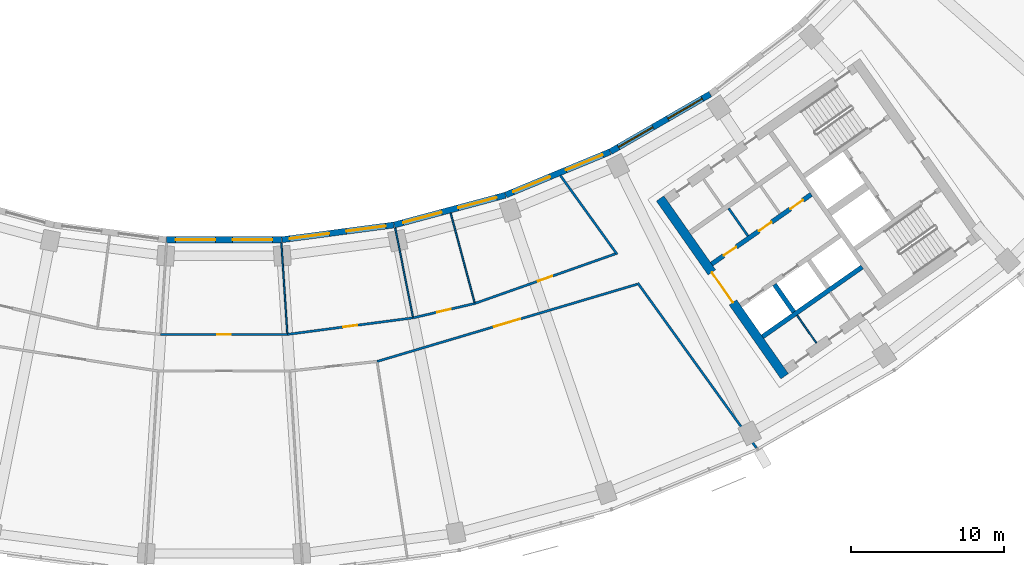
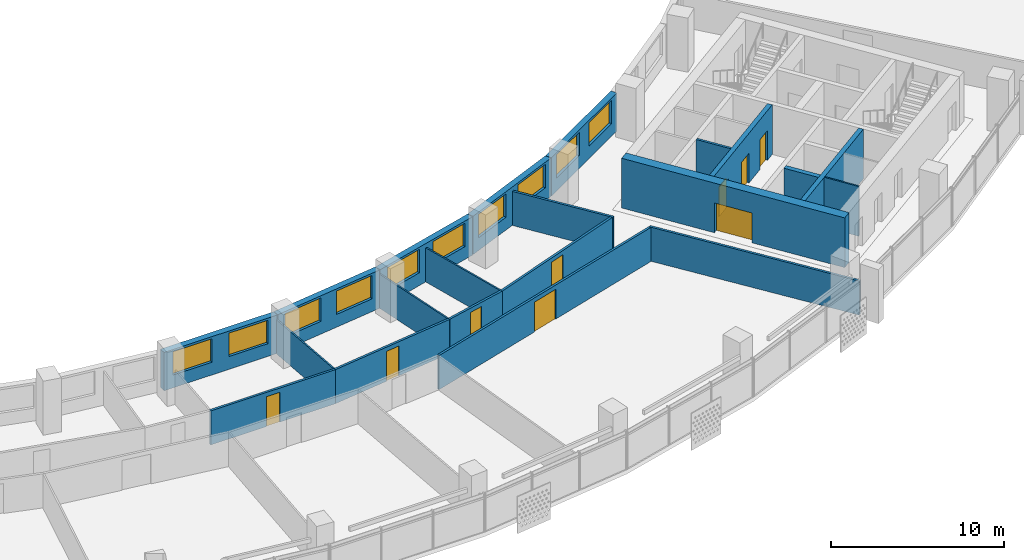
# One storey, part 6 of 26: 21 walls, 10 windows, 9 doors, 19 openings.
"""IFC4 building model written with IfcOpenShell, lengths in metres."""

from ifc_helpers import new_model, si_unit, direction, frame, frame_2d, origin, place, context, subcontext, project, spatial, rectangle, extrude, material, layer, layer_set, type_object, element, fill, save


model = new_model("IFC4")

# Units and contexts
model_context = context("Model", 3, precision=1e-05, world=origin(), true_north=direction((0.0, 1.0)))
body_context = subcontext(model_context, "Body", "Model", "MODEL_VIEW")
ifc_project = project(units=[si_unit("LENGTHUNIT", "METRE"), si_unit("AREAUNIT", "SQUARE_METRE"), si_unit("VOLUMEUNIT", "CUBIC_METRE"), si_unit("PLANEANGLEUNIT", "RADIAN"), si_unit("MASSUNIT", "GRAM", prefix="KILO")], contexts=[model_context])

# Site, building, storey
site_placement = place(None, origin())
site = spatial("IfcSite", under=ifc_project, at=site_placement, CompositionType="ELEMENT")
building_placement = place(site_placement, origin())
building = spatial("IfcBuilding", under=site, at=building_placement, Name="Qamariyya Broadcast Tower", CompositionType="ELEMENT")
storey_placement = place(building_placement, frame((0.0, 0.0, 160.699951171875)))
storey = spatial("IfcBuildingStorey", under=building, at=storey_placement, Name="L37", CompositionType="ELEMENT", Elevation=160.699951171875)

# Wall, opening, door
ifc_material_1 = material(Name="Concrete C60/75", Category="concrete")
ifc_layer_1 = layer(ifc_material_1, 0.60009765625)
ifc_layer_set_1 = layer_set([ifc_layer_1], Name="Core wall 600 mm Concrete C60/75")
wall_type_1 = type_object("IfcWallType", Name="Core wall 600 mm Concrete C60/75", PredefinedType="SHEAR", material=ifc_layer_set_1)
wall_1_placement = place(storey_placement, frame((36.66748046875, -66.005126953125, 0.0), z_axis=(0.0, 0.0, 1.0), x_axis=(-0.573568499524, 0.819157601658, 0.0)))
wall_1 = element("IfcWall", 1, at=wall_1_placement, inside=storey, type_object=wall_type_1, Name="k-E-L37-WA", PredefinedType="SHEAR", context=body_context, shape_type="SweptSolid", body=[
    extrude(rectangle(XDim=14.19970703125, YDim=0.60009765625, at=frame_2d((7.099853515625, 0.0))), origin(), (0.0, 0.0, 1.0), 3.5),
])
opening_1_placement = place(wall_1_placement, frame((5.89990234375, 0.0, 0.0)))
opening_1 = element("IfcOpeningElement", 2, at=opening_1_placement, cuts=wall_1, Name="Opening KD3-E1", PredefinedType="OPENING", context=body_context, shape_type="SweptSolid", body=[
    extrude(rectangle(XDim=2.39990234375, YDim=2.10009765625, at=frame_2d((1.199951171875, 1.050048828125))), frame((0.0, 0.31005859375, 0.0), z_axis=(0.0, -1.0, 0.0), x_axis=(1.0, 0.0, 0.0)), (0.0, 0.0, 1.0), 0.6201171875),
])
ifc_material_2 = material(Name="Steel fire-resisting door leaf", Category="steel")
door_type_1 = type_object("IfcDoorType", Name="Lift lobby door KD3", OperationType="DOUBLE_DOOR_SINGLE_SWING", PredefinedType="DOOR", material=ifc_material_2)
door_1_placement = place(opening_1_placement, origin())
door_1 = element("IfcDoor", 3, at=door_1_placement, inside=storey, type_object=door_type_1, Name="k-E-L37-WA-D1", OperationType="DOUBLE_DOOR_SINGLE_SWING", OverallHeight=2.10009765625, OverallWidth=2.39990234375, PredefinedType="DOOR", context=body_context, shape_type="SweptSolid", body=[
    extrude(rectangle(XDim=2.39990234375, YDim=2.10009765625, at=frame_2d((1.199951171875, 1.050048828125))), frame((0.0, 0.02490234375, 0.0), z_axis=(0.0, -1.0, 0.0), x_axis=(1.0, 0.0, 0.0)), (0.0, 0.0, 1.0), 0.050048828125),
])
fill(opening_1, door_1)

ifc_material_3 = material(Name="Gypsum board partition")
ifc_layer_2 = layer(ifc_material_3, 0.14990234375)
ifc_layer_set_2 = layer_set([ifc_layer_2], Name="Corridor partition 150 EI 60")
wall_type_2 = type_object("IfcWallType", Name="Corridor partition 150 EI 60", PredefinedType="PARTITIONING", material=ifc_layer_set_2)
wall_2_placement = place(storey_placement, frame((-4.146484375, -63.26416015625, 0.0), z_axis=(0.0, 0.0, 1.0), x_axis=(1.0, 0.0, 0.0)))
wall_2 = element("IfcWall", 4, at=wall_2_placement, inside=storey, type_object=wall_type_2, Name="Partition L37-018", PredefinedType="PARTITIONING", context=body_context, shape_type="SweptSolid", body=[
    extrude(rectangle(XDim=8.29296875, YDim=0.14990234375, at=frame_2d((4.146484375, 0.0))), origin(), (0.0, 0.0, 1.0), 2.400146484375),
])
opening_2_placement = place(wall_2_placement, frame((3.696533203125, 0.0, 0.0)))
opening_2 = element("IfcOpeningElement", 5, at=opening_2_placement, cuts=wall_2, Name="Opening L37-D11", PredefinedType="OPENING", context=body_context, shape_type="SweptSolid", body=[
    extrude(rectangle(XDim=0.89990234375, YDim=2.10009765625, at=frame_2d((0.449951171875, 1.050048828125))), frame((0.0, 0.0849609375, 0.0), z_axis=(0.0, -1.0, 0.0), x_axis=(1.0, 0.0, 0.0)), (0.0, 0.0, 1.0), 0.169921875),
])
ifc_material_4 = material(Name="Timber fire door leaf", Category="wood")
door_type_2 = type_object("IfcDoorType", Name="Fire door 900 x 2100 FD60", OperationType="NOTDEFINED", PredefinedType="DOOR", material=ifc_material_4)
door_2_placement = place(opening_2_placement, origin())
door_2 = element("IfcDoor", 6, at=door_2_placement, inside=storey, type_object=door_type_2, Name="Door L37-D11", OperationType="SINGLE_SWING_RIGHT", OverallHeight=2.10009765625, OverallWidth=0.89990234375, PredefinedType="DOOR", context=body_context, shape_type="SweptSolid", body=[
    extrude(rectangle(XDim=0.89990234375, YDim=2.10009765625, at=frame_2d((0.449951171875, 1.050048828125))), frame((0.0, 0.02490234375, 0.0), z_axis=(0.0, -1.0, 0.0), x_axis=(1.0, 0.0, 0.0)), (0.0, 0.0, 1.0), 0.050048828125),
])
fill(opening_2, door_2)

wall_3_placement = place(storey_placement, frame((4.146484375, -63.26416015625, 0.0), z_axis=(0.0, 0.0, 1.0), x_axis=(0.991447881484, 0.130503250152, 0.0)))
wall_3 = element("IfcWall", 7, at=wall_3_placement, inside=storey, type_object=wall_type_2, Name="Partition L37-021", PredefinedType="PARTITIONING", context=body_context, shape_type="SweptSolid", body=[
    extrude(rectangle(XDim=8.293212890625, YDim=0.14990234375, at=frame_2d((4.146484375, 0.0))), origin(), (0.0, 0.0, 1.0), 2.400146484375),
])
opening_3_placement = place(wall_3_placement, frame((3.696533203125, 0.0, 0.0)))
opening_3 = element("IfcOpeningElement", 8, at=opening_3_placement, cuts=wall_3, Name="Opening L37-D12", PredefinedType="OPENING", context=body_context, shape_type="SweptSolid", body=[
    extrude(rectangle(XDim=0.89990234375, YDim=2.10009765625, at=frame_2d((0.449951171875, 1.050048828125))), frame((0.0, 0.0849609375, 0.0), z_axis=(0.0, -1.0, 0.0), x_axis=(1.0, 0.0, 0.0)), (0.0, 0.0, 1.0), 0.169921875),
])
door_3_placement = place(opening_3_placement, origin())
door_3 = element("IfcDoor", 9, at=door_3_placement, inside=storey, type_object=door_type_2, Name="Door L37-D12", OperationType="SINGLE_SWING_RIGHT", OverallHeight=2.10009765625, OverallWidth=0.89990234375, PredefinedType="DOOR", context=body_context, shape_type="SweptSolid", body=[
    extrude(rectangle(XDim=0.89990234375, YDim=2.10009765625, at=frame_2d((0.449951171875, 1.050048828125))), frame((0.0, 0.02490234375, 0.0), z_axis=(0.0, -1.0, 0.0), x_axis=(1.0, 0.0, 0.0)), (0.0, 0.0, 1.0), 0.050048828125),
])
fill(opening_3, door_3)

wall_4_placement = place(storey_placement, frame((27.02880859375, -59.981201171875, 0.0), z_axis=(0.0, 0.0, 1.0), x_axis=(-0.958635901926, -0.284635218373, 0.0)))
wall_4 = element("IfcWall", 10, at=wall_4_placement, inside=storey, type_object=wall_type_2, Name="Partition L37-024", PredefinedType="PARTITIONING", context=body_context, shape_type="SweptSolid", body=[
    extrude(rectangle(XDim=17.751708984375, YDim=0.14990234375, at=frame_2d((8.8759765625, 0.0))), origin(), (0.0, 0.0, 1.0), 2.400146484375),
])
opening_4_placement = place(wall_4_placement, frame((7.975830078125, 0.0, 0.0)))
opening_4 = element("IfcOpeningElement", 11, at=opening_4_placement, cuts=wall_4, Name="Opening L37-D07", PredefinedType="OPENING", context=body_context, shape_type="SweptSolid", body=[
    extrude(rectangle(XDim=1.800048828125, YDim=2.10009765625, at=frame_2d((0.89990234375, 1.050048828125))), frame((0.0, 0.0849609375, 0.0), z_axis=(0.0, -1.0, 0.0), x_axis=(1.0, 0.0, 0.0)), (0.0, 0.0, 1.0), 0.169921875),
])
door_type_3 = type_object("IfcDoorType", Name="Double fire door 1800 x 2100 FD60", OperationType="NOTDEFINED", PredefinedType="DOOR", material=ifc_material_4)
door_4_placement = place(opening_4_placement, origin())
door_4 = element("IfcDoor", 12, at=door_4_placement, inside=storey, type_object=door_type_3, Name="Door L37-D07", OperationType="DOUBLE_DOOR_SINGLE_SWING", OverallHeight=2.10009765625, OverallWidth=1.800048828125, PredefinedType="DOOR", context=body_context, shape_type="SweptSolid", body=[
    extrude(rectangle(XDim=1.800048828125, YDim=2.10009765625, at=frame_2d((0.89990234375, 1.050048828125))), frame((0.0, 0.02490234375, 0.0), z_axis=(0.0, -1.0, 0.0), x_axis=(1.0, 0.0, 0.0)), (0.0, 0.0, 1.0), 0.050048828125),
])
fill(opening_4, door_4)

wall_5_placement = place(storey_placement, frame((12.36865234375, -62.181884765625, 0.0), z_axis=(0.0, 0.0, 1.0), x_axis=(0.973875922187, 0.227080796599, 0.0)))
wall_5 = element("IfcWall", 13, at=wall_5_placement, inside=storey, type_object=wall_type_2, Name="Partition L37-027", PredefinedType="PARTITIONING", context=body_context, shape_type="SweptSolid", body=[
    extrude(rectangle(XDim=4.14892578125, YDim=0.14990234375, at=frame_2d((2.074462890625, 0.0))), origin(), (0.0, 0.0, 1.0), 2.400146484375),
])
opening_5_placement = place(wall_5_placement, frame((1.62451171875, 0.0, 0.0)))
opening_5 = element("IfcOpeningElement", 14, at=opening_5_placement, cuts=wall_5, Name="Opening L37-D13", PredefinedType="OPENING", context=body_context, shape_type="SweptSolid", body=[
    extrude(rectangle(XDim=0.89990234375, YDim=2.10009765625, at=frame_2d((0.449951171875, 1.050048828125))), frame((0.0, 0.0849609375, 0.0), z_axis=(0.0, -1.0, 0.0), x_axis=(1.0, 0.0, 0.0)), (0.0, 0.0, 1.0), 0.169921875),
])
door_5_placement = place(opening_5_placement, origin())
door_5 = element("IfcDoor", 15, at=door_5_placement, inside=storey, type_object=door_type_2, Name="Door L37-D13", OperationType="SINGLE_SWING_RIGHT", OverallHeight=2.10009765625, OverallWidth=0.89990234375, PredefinedType="DOOR", context=body_context, shape_type="SweptSolid", body=[
    extrude(rectangle(XDim=0.89990234375, YDim=2.10009765625, at=frame_2d((0.449951171875, 1.050048828125))), frame((0.0, 0.02490234375, 0.0), z_axis=(0.0, -1.0, 0.0), x_axis=(1.0, 0.0, 0.0)), (0.0, 0.0, 1.0), 0.050048828125),
])
fill(opening_5, door_5)

wall_6_placement = place(storey_placement, frame((16.4091796875, -61.23974609375, 0.0), z_axis=(0.0, 0.0, 1.0), x_axis=(0.942977382292, 0.332856810785, 0.0)))
wall_6 = element("IfcWall", 16, at=wall_6_placement, inside=storey, type_object=wall_type_2, Name="Partition L37-029", PredefinedType="PARTITIONING", context=body_context, shape_type="SweptSolid", body=[
    extrude(rectangle(XDim=9.744873046875, YDim=0.14990234375, at=frame_2d((4.87255859375, 0.0))), origin(), (0.0, 0.0, 1.0), 2.400146484375),
])
opening_6_placement = place(wall_6_placement, frame((4.37255859375, 0.0, 0.0)))
opening_6 = element("IfcOpeningElement", 17, at=opening_6_placement, cuts=wall_6, Name="Opening L37-D14", PredefinedType="OPENING", context=body_context, shape_type="SweptSolid", body=[
    extrude(rectangle(XDim=1.0, YDim=2.10009765625, at=frame_2d((0.5, 1.050048828125))), frame((0.0, 0.0849609375, 0.0), z_axis=(0.0, -1.0, 0.0), x_axis=(1.0, 0.0, 0.0)), (0.0, 0.0, 1.0), 0.169921875),
])
door_type_4 = type_object("IfcDoorType", Name="Fire door 1000 x 2100 FD60", OperationType="NOTDEFINED", PredefinedType="DOOR", material=ifc_material_4)
door_6_placement = place(opening_6_placement, origin())
door_6 = element("IfcDoor", 18, at=door_6_placement, inside=storey, type_object=door_type_4, Name="Door L37-D14", OperationType="SINGLE_SWING_RIGHT", OverallHeight=2.10009765625, OverallWidth=1.0, PredefinedType="DOOR", context=body_context, shape_type="SweptSolid", body=[
    extrude(rectangle(XDim=1.0, YDim=2.10009765625, at=frame_2d((0.5, 1.050048828125))), frame((0.0, 0.02490234375, 0.0), z_axis=(0.0, -1.0, 0.0), x_axis=(1.0, 0.0, 0.0)), (0.0, 0.0, 1.0), 0.050048828125),
])
fill(opening_6, door_6)

# Walls
wall_7_placement = place(storey_placement, frame((22.0, -52.873046875, 0.0), z_axis=(0.0, 0.0, 1.0), x_axis=(0.58417014289, -0.811631224236, 0.0)))
element("IfcWall", 19, at=wall_7_placement, inside=storey, type_object=wall_type_2, Name="Partition L37-030", PredefinedType="PARTITIONING", context=body_context, shape_type="SweptSolid", body=[
    extrude(rectangle(XDim=6.356201171875, YDim=0.14990234375, at=frame_2d((3.17822265625, 0.0))), origin(), (0.0, 0.0, 1.0), 2.400146484375),
])
wall_8_placement = place(storey_placement, frame((27.056884765625, -59.899169921875, 0.0), z_axis=(0.0, 0.0, 1.0), x_axis=(0.584166374063, -0.81163393683, 0.0)))
element("IfcWall", 20, at=wall_8_placement, inside=storey, type_object=wall_type_2, Name="Partition L37-031", PredefinedType="PARTITIONING", context=body_context, shape_type="SweptSolid", body=[
    extrude(rectangle(XDim=13.296142578125, YDim=0.14990234375, at=frame_2d((6.64794921875, 0.0))), origin(), (0.0, 0.0, 1.0), 2.400146484375),
])
ifc_material_5 = material(Name="Gypsum board partition on steel studs", Category="steel")
ifc_layer_3 = layer(ifc_material_5, 0.14990234375)
ifc_layer_set_3 = layer_set([ifc_layer_3], Name="Gypsum board partition 150 mm")
wall_type_3 = type_object("IfcWallType", Name="Gypsum board partition 150 mm", PredefinedType="PARTITIONING", material=ifc_layer_set_3)
wall_9_placement = place(storey_placement, frame((34.26611328125, -56.822021484375, 0.0), z_axis=(0.0, 0.0, 1.0), x_axis=(-0.573581496053, 0.819148501424, 0.0)))
element("IfcWall", 21, at=wall_9_placement, inside=storey, type_object=wall_type_3, Name="k-E-L37-NC300", PredefinedType="PARTITIONING", context=body_context, shape_type="SweptSolid", body=[
    extrude(rectangle(XDim=2.2001953125, YDim=0.14990234375, at=frame_2d((1.10009765625, 0.0))), origin(), (0.0, 0.0, 1.0), 3.5),
])

# Wall, openings, doors
ifc_layer_4 = layer(ifc_material_1, 0.300048828125)
ifc_layer_set_4 = layer_set([ifc_layer_4], Name="Lift shaft wall 300 mm Concrete C60/75")
wall_type_4 = type_object("IfcWallType", Name="Lift shaft wall 300 mm Concrete C60/75", PredefinedType="SOLIDWALL", material=ifc_layer_set_4)
wall_10_placement = place(storey_placement, frame((31.89453125, -58.66552734375, 0.0), z_axis=(0.0, 0.0, 1.0), x_axis=(0.819166993208, 0.573555086491, 0.0)))
wall_10 = element("IfcWall", 22, at=wall_10_placement, inside=storey, type_object=wall_type_4, Name="k-E-L37-NF0", PredefinedType="SOLIDWALL", context=body_context, shape_type="SweptSolid", body=[
    extrude(rectangle(XDim=7.9501953125, YDim=0.300048828125, at=frame_2d((3.97509765625, 0.0))), origin(), (0.0, 0.0, 1.0), 3.5),
])
opening_7_placement = place(wall_10_placement, frame((0.96240234375, 0.0, 0.0)))
opening_7 = element("IfcOpeningElement", 23, at=opening_7_placement, cuts=wall_10, Name="Opening KD4-E1", PredefinedType="OPENING", context=body_context, shape_type="SweptSolid", body=[
    extrude(rectangle(XDim=1.0, YDim=2.10009765625, at=frame_2d((0.5, 1.050048828125))), frame((0.0, 0.159912109375, 0.0), z_axis=(0.0, -1.0, 0.0), x_axis=(1.0, 0.0, 0.0)), (0.0, 0.0, 1.0), 0.320068359375),
])
opening_8_placement = place(wall_10_placement, frame((3.77490234375, 0.0, 0.0)))
opening_8 = element("IfcOpeningElement", 24, at=opening_8_placement, cuts=wall_10, Name="Opening KD6-E1", PredefinedType="OPENING", context=body_context, shape_type="SweptSolid", body=[
    extrude(rectangle(XDim=1.0, YDim=2.10009765625, at=frame_2d((0.5, 1.050048828125))), frame((0.0, 0.159912109375, 0.0), z_axis=(0.0, -1.0, 0.0), x_axis=(1.0, 0.0, 0.0)), (0.0, 0.0, 1.0), 0.320068359375),
])
opening_9_placement = place(wall_10_placement, frame((6.28759765625, 0.0, 0.0)))
opening_9 = element("IfcOpeningElement", 25, at=opening_9_placement, cuts=wall_10, Name="Opening KD6-E2", PredefinedType="OPENING", context=body_context, shape_type="SweptSolid", body=[
    extrude(rectangle(XDim=1.0, YDim=2.10009765625, at=frame_2d((0.5, 1.050048828125))), frame((0.0, 0.159912109375, 0.0), z_axis=(0.0, -1.0, 0.0), x_axis=(1.0, 0.0, 0.0)), (0.0, 0.0, 1.0), 0.320068359375),
])
door_type_5 = type_object("IfcDoorType", Name="Core room door KD6", OperationType="SINGLE_SWING_LEFT", PredefinedType="DOOR", material=ifc_material_2)
door_7_placement = place(opening_8_placement, origin())
door_7 = element("IfcDoor", 26, at=door_7_placement, inside=storey, type_object=door_type_5, Name="k-E-L37-NF0-D3", OperationType="SINGLE_SWING_LEFT", OverallHeight=2.10009765625, OverallWidth=1.0, PredefinedType="DOOR", context=body_context, shape_type="SweptSolid", body=[
    extrude(rectangle(XDim=1.0, YDim=2.10009765625, at=frame_2d((0.5, 1.050048828125))), frame((0.0, 0.02490234375, 0.0), z_axis=(0.0, -1.0, 0.0), x_axis=(1.0, 0.0, 0.0)), (0.0, 0.0, 1.0), 0.050048828125),
])
fill(opening_8, door_7)
door_8_placement = place(opening_9_placement, origin())
door_8 = element("IfcDoor", 27, at=door_8_placement, inside=storey, type_object=door_type_5, Name="k-E-L37-NF0-D4", OperationType="SINGLE_SWING_RIGHT", OverallHeight=2.10009765625, OverallWidth=1.0, PredefinedType="DOOR", context=body_context, shape_type="SweptSolid", body=[
    extrude(rectangle(XDim=1.0, YDim=2.10009765625, at=frame_2d((0.5, 1.050048828125))), frame((0.0, 0.02490234375, 0.0), z_axis=(0.0, -1.0, 0.0), x_axis=(1.0, 0.0, 0.0)), (0.0, 0.0, 1.0), 0.050048828125),
])
fill(opening_9, door_8)
door_type_6 = type_object("IfcDoorType", Name="Riser and plant door KD4", OperationType="SINGLE_SWING_LEFT", PredefinedType="DOOR", material=ifc_material_2)
door_9_placement = place(opening_7_placement, origin())
door_9 = element("IfcDoor", 28, at=door_9_placement, inside=storey, type_object=door_type_6, Name="k-E-L37-NF0-D2", OperationType="SINGLE_SWING_RIGHT", OverallHeight=2.10009765625, OverallWidth=1.0, PredefinedType="DOOR", context=body_context, shape_type="SweptSolid", body=[
    extrude(rectangle(XDim=1.0, YDim=2.10009765625, at=frame_2d((0.5, 1.050048828125))), frame((0.0, 0.02490234375, 0.0), z_axis=(0.0, -1.0, 0.0), x_axis=(1.0, 0.0, 0.0)), (0.0, 0.0, 1.0), 0.050048828125),
])
fill(opening_7, door_9)

# Walls
wall_11_placement = place(storey_placement, frame((35.22119140625, -63.41650390625, 0.0), z_axis=(0.0, 0.0, 1.0), x_axis=(0.819166993208, 0.573555086491, 0.0)))
element("IfcWall", 29, at=wall_11_placement, inside=storey, type_object=wall_type_4, Name="k-E-L37-SB0", PredefinedType="SOLIDWALL", context=body_context, shape_type="SweptSolid", body=[
    extrude(rectangle(XDim=7.9501953125, YDim=0.300048828125, at=frame_2d((3.97509765625, 0.0))), origin(), (0.0, 0.0, 1.0), 3.5),
])
wall_12_placement = place(storey_placement, frame((36.003173828125, -60.000244140625, 0.0), z_axis=(0.0, 0.0, 1.0), x_axis=(0.573581496053, -0.819148501424, 0.0)))
element("IfcWall", 30, at=wall_12_placement, inside=storey, type_object=wall_type_4, Name="k-E-L37-SD0", PredefinedType="SOLIDWALL", context=body_context, shape_type="SweptSolid", body=[
    extrude(rectangle(XDim=2.2001953125, YDim=0.300048828125, at=frame_2d((1.10009765625, 0.0))), origin(), (0.0, 0.0, 1.0), 3.5),
])
ifc_layer_5 = layer(ifc_material_3, 0.10009765625)
ifc_layer_set_5 = layer_set([ifc_layer_5], Name="Partition 100")
wall_type_5 = type_object("IfcWallType", Name="Partition 100", PredefinedType="PARTITIONING", material=ifc_layer_set_5)
wall_13_placement = place(storey_placement, frame((3.754150390625, -57.277099609375, 0.0), z_axis=(0.0, 0.0, 1.0), x_axis=(0.065392214001, -0.997859638601, 0.0)))
element("IfcWall", 31, at=wall_13_placement, inside=storey, type_object=wall_type_5, Name="Partition L37-020", PredefinedType="PARTITIONING", context=body_context, shape_type="SweptSolid", body=[
    extrude(rectangle(XDim=5.925048828125, YDim=0.10009765625, at=frame_2d((2.96240234375, 0.0))), origin(), (0.0, 0.0, 1.0), 2.400146484375),
])
wall_14_placement = place(storey_placement, frame((11.1982421875, -56.297119140625, 0.0), z_axis=(0.0, 0.0, 1.0), x_axis=(0.195070020718, -0.980789318364, 0.0)))
element("IfcWall", 32, at=wall_14_placement, inside=storey, type_object=wall_type_5, Name="Partition L37-025", PredefinedType="PARTITIONING", context=body_context, shape_type="SweptSolid", body=[
    extrude(rectangle(XDim=5.9248046875, YDim=0.10009765625, at=frame_2d((2.96240234375, 0.0))), origin(), (0.0, 0.0, 1.0), 2.400146484375),
])
wall_15_placement = place(storey_placement, frame((14.82470703125, -55.326171875, 0.0), z_axis=(0.0, 0.0, 1.0), x_axis=(0.258793263352, -0.965932734119, 0.0)))
element("IfcWall", 33, at=wall_15_placement, inside=storey, type_object=wall_type_5, Name="Partition L37-028", PredefinedType="PARTITIONING", context=body_context, shape_type="SweptSolid", body=[
    extrude(rectangle(XDim=6.047119140625, YDim=0.10009765625, at=frame_2d((3.0234375, 0.0))), origin(), (0.0, 0.0, 1.0), 2.400146484375),
])
ifc_material_6 = material(Name="Fire-rated gypsum shaft liner on steel studs", Category="steel")
ifc_layer_6 = layer(ifc_material_6, 0.10009765625)
ifc_layer_set_6 = layer_set([ifc_layer_6], Name="Riser wall 100 mm")
wall_type_6 = type_object("IfcWallType", Name="Riser wall 100 mm", PredefinedType="PLUMBINGWALL", material=ifc_layer_set_6)
wall_16_placement = place(storey_placement, frame((37.47802734375, -62.01953125, 0.0), z_axis=(0.0, 0.0, 1.0), x_axis=(0.573581496053, -0.819148501424, 0.0)))
element("IfcWall", 34, at=wall_16_placement, inside=storey, type_object=wall_type_6, Name="k-E-L37-SP265", PredefinedType="PLUMBINGWALL", context=body_context, shape_type="SweptSolid", body=[
    extrude(rectangle(XDim=2.2001953125, YDim=0.10009765625, at=frame_2d((1.10009765625, 0.0))), origin(), (0.0, 0.0, 1.0), 3.5),
])

# Wall, openings, windows
ifc_material_7 = material(Name="Terracotta", Category="masonry")
ifc_layer_7 = layer(ifc_material_7, 0.39990234375)
ifc_layer_set_7 = layer_set([ifc_layer_7], Name="Terracotta clad wall 400")
wall_type_7 = type_object("IfcWallType", Name="Terracotta clad wall 400", PredefinedType="SOLIDWALL", material=ifc_layer_set_7)
wall_17_placement = place(storey_placement, frame((25.252197265625, -51.32080078125, 0.0), z_axis=(0.0, 0.0, 1.0), x_axis=(-0.923867659443, -0.382712095229, 0.0)))
wall_17 = element("IfcWall", 35, at=wall_17_placement, inside=storey, type_object=wall_type_7, Name="e-wl-L37-in100", PredefinedType="SOLIDWALL", context=body_context, shape_type="SweptSolid", body=[
    extrude(rectangle(XDim=7.380859375, YDim=0.39990234375, at=frame_2d((3.6904296875, 0.0))), origin(), (0.0, 0.0, 1.0), 2.699951171875),
])
opening_10_placement = place(wall_17_placement, frame((4.25439453125, 0.0, 0.89990234375)))
opening_10 = element("IfcOpeningElement", 36, at=opening_10_placement, cuts=wall_17, Name="Opening W1", PredefinedType="OPENING", context=body_context, shape_type="SweptSolid", body=[
    extrude(rectangle(XDim=2.60009765625, YDim=1.64990234375, at=frame_2d((1.300048828125, 0.824951171875))), frame((0.0, 0.2099609375, 0.0), z_axis=(0.0, -1.0, 0.0), x_axis=(1.0, 0.0, 0.0)), (0.0, 0.0, 1.0), 0.419921875),
])
opening_11_placement = place(wall_17_placement, frame((0.5263671875, 0.0, 0.89990234375)))
opening_11 = element("IfcOpeningElement", 37, at=opening_11_placement, cuts=wall_17, Name="Opening W1", PredefinedType="OPENING", context=body_context, shape_type="SweptSolid", body=[
    extrude(rectangle(XDim=2.60009765625, YDim=1.64990234375, at=frame_2d((1.300048828125, 0.824951171875))), frame((0.0, 0.2099609375, 0.0), z_axis=(0.0, -1.0, 0.0), x_axis=(1.0, 0.0, 0.0)), (0.0, 0.0, 1.0), 0.419921875),
])
ifc_material_8 = material(Name="Clear low-e double glazed unit in aluminium frame", Category="aluminium")
window_type = type_object("IfcWindowType", Name="Ribbon window 2600 x 1650", PartitioningType="SINGLE_PANEL", PredefinedType="WINDOW", material=ifc_material_8)
window_1_placement = place(opening_10_placement, origin())
window_1 = element("IfcWindow", 38, at=window_1_placement, inside=storey, type_object=window_type, Name="e-w-L37-in10-0", OverallHeight=1.64990234375, OverallWidth=2.60009765625, PartitioningType="SINGLE_PANEL", PredefinedType="WINDOW", context=body_context, shape_type="SweptSolid", body=[
    extrude(rectangle(XDim=2.60009765625, YDim=1.64990234375, at=frame_2d((1.300048828125, 0.824951171875))), frame((0.0, 0.030029296875, 0.0), z_axis=(0.0, -1.0, 0.0), x_axis=(1.0, 0.0, 0.0)), (0.0, 0.0, 1.0), 0.06005859375),
])
fill(opening_10, window_1)
window_2_placement = place(opening_11_placement, origin())
window_2 = element("IfcWindow", 39, at=window_2_placement, inside=storey, type_object=window_type, Name="e-w-L37-in10-1", OverallHeight=1.64990234375, OverallWidth=2.60009765625, PartitioningType="SINGLE_PANEL", PredefinedType="WINDOW", context=body_context, shape_type="SweptSolid", body=[
    extrude(rectangle(XDim=2.60009765625, YDim=1.64990234375, at=frame_2d((1.300048828125, 0.824951171875))), frame((0.0, 0.030029296875, 0.0), z_axis=(0.0, -1.0, 0.0), x_axis=(1.0, 0.0, 0.0)), (0.0, 0.0, 1.0), 0.06005859375),
])
fill(opening_11, window_2)

wall_18_placement = place(storey_placement, frame((31.800537109375, -47.5478515625, 0.0), z_axis=(0.0, 0.0, 1.0), x_axis=(-0.866028517328, -0.499994607145, 0.0)))
wall_18 = element("IfcWall", 40, at=wall_18_placement, inside=storey, type_object=wall_type_7, Name="e-wl-L37-in110", PredefinedType="SOLIDWALL", context=body_context, shape_type="SweptSolid", body=[
    extrude(rectangle(XDim=7.5322265625, YDim=0.39990234375, at=frame_2d((3.76611328125, 0.0))), origin(), (0.0, 0.0, 1.0), 2.699951171875),
])
opening_12_placement = place(wall_18_placement, frame((4.330078125, 0.0, 0.89990234375)))
opening_12 = element("IfcOpeningElement", 41, at=opening_12_placement, cuts=wall_18, Name="Opening W1", PredefinedType="OPENING", context=body_context, shape_type="SweptSolid", body=[
    extrude(rectangle(XDim=2.60009765625, YDim=1.64990234375, at=frame_2d((1.300048828125, 0.824951171875))), frame((0.0, 0.2099609375, 0.0), z_axis=(0.0, -1.0, 0.0), x_axis=(1.0, 0.0, 0.0)), (0.0, 0.0, 1.0), 0.419921875),
])
opening_13_placement = place(wall_18_placement, frame((0.60205078125, 0.0, 0.89990234375)))
opening_13 = element("IfcOpeningElement", 42, at=opening_13_placement, cuts=wall_18, Name="Opening W1", PredefinedType="OPENING", context=body_context, shape_type="SweptSolid", body=[
    extrude(rectangle(XDim=2.60009765625, YDim=1.64990234375, at=frame_2d((1.300048828125, 0.824951171875))), frame((0.0, 0.2099609375, 0.0), z_axis=(0.0, -1.0, 0.0), x_axis=(1.0, 0.0, 0.0)), (0.0, 0.0, 1.0), 0.419921875),
])
window_3_placement = place(opening_12_placement, origin())
window_3 = element("IfcWindow", 43, at=window_3_placement, inside=storey, type_object=window_type, Name="e-w-L37-in11-0", OverallHeight=1.64990234375, OverallWidth=2.60009765625, PartitioningType="SINGLE_PANEL", PredefinedType="WINDOW", context=body_context, shape_type="SweptSolid", body=[
    extrude(rectangle(XDim=2.60009765625, YDim=1.64990234375, at=frame_2d((1.300048828125, 0.824951171875))), frame((0.0, 0.030029296875, 0.0), z_axis=(0.0, -1.0, 0.0), x_axis=(1.0, 0.0, 0.0)), (0.0, 0.0, 1.0), 0.06005859375),
])
fill(opening_12, window_3)
window_4_placement = place(opening_13_placement, origin())
window_4 = element("IfcWindow", 44, at=window_4_placement, inside=storey, type_object=window_type, Name="e-w-L37-in11-1", OverallHeight=1.64990234375, OverallWidth=2.60009765625, PartitioningType="SINGLE_PANEL", PredefinedType="WINDOW", context=body_context, shape_type="SweptSolid", body=[
    extrude(rectangle(XDim=2.60009765625, YDim=1.64990234375, at=frame_2d((1.300048828125, 0.824951171875))), frame((0.0, 0.030029296875, 0.0), z_axis=(0.0, -1.0, 0.0), x_axis=(1.0, 0.0, 0.0)), (0.0, 0.0, 1.0), 0.06005859375),
])
fill(opening_13, window_4)

wall_19_placement = place(storey_placement, frame((3.76611328125, -57.077880859375, 0.0), z_axis=(0.0, 0.0, 1.0), x_axis=(-1.0, 0.0, 0.0)))
wall_19 = element("IfcWall", 45, at=wall_19_placement, inside=storey, type_object=wall_type_7, Name="e-wl-L37-in70", PredefinedType="SOLIDWALL", context=body_context, shape_type="SweptSolid", body=[
    extrude(rectangle(XDim=7.5322265625, YDim=0.39990234375, at=frame_2d((3.76611328125, 0.0))), origin(), (0.0, 0.0, 1.0), 2.699951171875),
])
opening_14_placement = place(wall_19_placement, frame((4.330078125, 0.0, 0.89990234375)))
opening_14 = element("IfcOpeningElement", 46, at=opening_14_placement, cuts=wall_19, Name="Opening W1", PredefinedType="OPENING", context=body_context, shape_type="SweptSolid", body=[
    extrude(rectangle(XDim=2.60009765625, YDim=1.64990234375, at=frame_2d((1.300048828125, 0.824951171875))), frame((0.0, 0.2099609375, 0.0), z_axis=(0.0, -1.0, 0.0), x_axis=(1.0, 0.0, 0.0)), (0.0, 0.0, 1.0), 0.419921875),
])
opening_15_placement = place(wall_19_placement, frame((0.60205078125, 0.0, 0.89990234375)))
opening_15 = element("IfcOpeningElement", 47, at=opening_15_placement, cuts=wall_19, Name="Opening W1", PredefinedType="OPENING", context=body_context, shape_type="SweptSolid", body=[
    extrude(rectangle(XDim=2.60009765625, YDim=1.64990234375, at=frame_2d((1.300048828125, 0.824951171875))), frame((0.0, 0.2099609375, 0.0), z_axis=(0.0, -1.0, 0.0), x_axis=(1.0, 0.0, 0.0)), (0.0, 0.0, 1.0), 0.419921875),
])
window_5_placement = place(opening_14_placement, origin())
window_5 = element("IfcWindow", 48, at=window_5_placement, inside=storey, type_object=window_type, Name="e-w-L37-in07-0", OverallHeight=1.64990234375, OverallWidth=2.60009765625, PartitioningType="SINGLE_PANEL", PredefinedType="WINDOW", context=body_context, shape_type="SweptSolid", body=[
    extrude(rectangle(XDim=2.60009765625, YDim=1.64990234375, at=frame_2d((1.300048828125, 0.824951171875))), frame((0.0, 0.030029296875, 0.0), z_axis=(0.0, -1.0, 0.0), x_axis=(1.0, 0.0, 0.0)), (0.0, 0.0, 1.0), 0.06005859375),
])
fill(opening_14, window_5)
window_6_placement = place(opening_15_placement, origin())
window_6 = element("IfcWindow", 49, at=window_6_placement, inside=storey, type_object=window_type, Name="e-w-L37-in07-1", OverallHeight=1.64990234375, OverallWidth=2.60009765625, PartitioningType="SINGLE_PANEL", PredefinedType="WINDOW", context=body_context, shape_type="SweptSolid", body=[
    extrude(rectangle(XDim=2.60009765625, YDim=1.64990234375, at=frame_2d((1.300048828125, 0.824951171875))), frame((0.0, 0.030029296875, 0.0), z_axis=(0.0, -1.0, 0.0), x_axis=(1.0, 0.0, 0.0)), (0.0, 0.0, 1.0), 0.06005859375),
])
fill(opening_15, window_6)

wall_20_placement = place(storey_placement, frame((11.10888671875, -56.10791015625, 0.0), z_axis=(0.0, 0.0, 1.0), x_axis=(-0.99144438474, -0.130529812564, 0.0)))
wall_20 = element("IfcWall", 50, at=wall_20_placement, inside=storey, type_object=wall_type_7, Name="e-wl-L37-in80", PredefinedType="SOLIDWALL", context=body_context, shape_type="SweptSolid", body=[
    extrude(rectangle(XDim=7.380615234375, YDim=0.39990234375, at=frame_2d((3.6904296875, 0.0))), origin(), (0.0, 0.0, 1.0), 2.699951171875),
])
opening_16_placement = place(wall_20_placement, frame((4.25439453125, 0.0, 0.89990234375)))
opening_16 = element("IfcOpeningElement", 51, at=opening_16_placement, cuts=wall_20, Name="Opening W1", PredefinedType="OPENING", context=body_context, shape_type="SweptSolid", body=[
    extrude(rectangle(XDim=2.60009765625, YDim=1.64990234375, at=frame_2d((1.300048828125, 0.824951171875))), frame((0.0, 0.2099609375, 0.0), z_axis=(0.0, -1.0, 0.0), x_axis=(1.0, 0.0, 0.0)), (0.0, 0.0, 1.0), 0.419921875),
])
opening_17_placement = place(wall_20_placement, frame((0.5263671875, 0.0, 0.89990234375)))
opening_17 = element("IfcOpeningElement", 52, at=opening_17_placement, cuts=wall_20, Name="Opening W1", PredefinedType="OPENING", context=body_context, shape_type="SweptSolid", body=[
    extrude(rectangle(XDim=2.60009765625, YDim=1.64990234375, at=frame_2d((1.300048828125, 0.824951171875))), frame((0.0, 0.2099609375, 0.0), z_axis=(0.0, -1.0, 0.0), x_axis=(1.0, 0.0, 0.0)), (0.0, 0.0, 1.0), 0.419921875),
])
window_7_placement = place(opening_16_placement, origin())
window_7 = element("IfcWindow", 53, at=window_7_placement, inside=storey, type_object=window_type, Name="e-w-L37-in08-0", OverallHeight=1.64990234375, OverallWidth=2.60009765625, PartitioningType="SINGLE_PANEL", PredefinedType="WINDOW", context=body_context, shape_type="SweptSolid", body=[
    extrude(rectangle(XDim=2.60009765625, YDim=1.64990234375, at=frame_2d((1.300048828125, 0.824951171875))), frame((0.0, 0.030029296875, 0.0), z_axis=(0.0, -1.0, 0.0), x_axis=(1.0, 0.0, 0.0)), (0.0, 0.0, 1.0), 0.06005859375),
])
fill(opening_16, window_7)
window_8_placement = place(opening_17_placement, origin())
window_8 = element("IfcWindow", 54, at=window_8_placement, inside=storey, type_object=window_type, Name="e-w-L37-in08-1", OverallHeight=1.64990234375, OverallWidth=2.60009765625, PartitioningType="SINGLE_PANEL", PredefinedType="WINDOW", context=body_context, shape_type="SweptSolid", body=[
    extrude(rectangle(XDim=2.60009765625, YDim=1.64990234375, at=frame_2d((1.300048828125, 0.824951171875))), frame((0.0, 0.030029296875, 0.0), z_axis=(0.0, -1.0, 0.0), x_axis=(1.0, 0.0, 0.0)), (0.0, 0.0, 1.0), 0.06005859375),
])
fill(opening_17, window_8)

wall_21_placement = place(storey_placement, frame((18.41064453125, -54.158447265625, 0.0), z_axis=(0.0, 0.0, 1.0), x_axis=(-0.965927073219, -0.258814391452, 0.0)))
wall_21 = element("IfcWall", 55, at=wall_21_placement, inside=storey, type_object=wall_type_7, Name="e-wl-L37-in90", PredefinedType="SOLIDWALL", context=body_context, shape_type="SweptSolid", body=[
    extrude(rectangle(XDim=7.5322265625, YDim=0.39990234375, at=frame_2d((3.76611328125, 0.0))), origin(), (0.0, 0.0, 1.0), 2.699951171875),
])
opening_18_placement = place(wall_21_placement, frame((4.330078125, 0.0, 0.89990234375)))
opening_18 = element("IfcOpeningElement", 56, at=opening_18_placement, cuts=wall_21, Name="Opening W1", PredefinedType="OPENING", context=body_context, shape_type="SweptSolid", body=[
    extrude(rectangle(XDim=2.60009765625, YDim=1.64990234375, at=frame_2d((1.300048828125, 0.824951171875))), frame((0.0, 0.2099609375, 0.0), z_axis=(0.0, -1.0, 0.0), x_axis=(1.0, 0.0, 0.0)), (0.0, 0.0, 1.0), 0.419921875),
])
opening_19_placement = place(wall_21_placement, frame((0.60205078125, 0.0, 0.89990234375)))
opening_19 = element("IfcOpeningElement", 57, at=opening_19_placement, cuts=wall_21, Name="Opening W1", PredefinedType="OPENING", context=body_context, shape_type="SweptSolid", body=[
    extrude(rectangle(XDim=2.60009765625, YDim=1.64990234375, at=frame_2d((1.300048828125, 0.824951171875))), frame((0.0, 0.2099609375, 0.0), z_axis=(0.0, -1.0, 0.0), x_axis=(1.0, 0.0, 0.0)), (0.0, 0.0, 1.0), 0.419921875),
])
window_9_placement = place(opening_18_placement, origin())
window_9 = element("IfcWindow", 58, at=window_9_placement, inside=storey, type_object=window_type, Name="e-w-L37-in09-0", OverallHeight=1.64990234375, OverallWidth=2.60009765625, PartitioningType="SINGLE_PANEL", PredefinedType="WINDOW", context=body_context, shape_type="SweptSolid", body=[
    extrude(rectangle(XDim=2.60009765625, YDim=1.64990234375, at=frame_2d((1.300048828125, 0.824951171875))), frame((0.0, 0.030029296875, 0.0), z_axis=(0.0, -1.0, 0.0), x_axis=(1.0, 0.0, 0.0)), (0.0, 0.0, 1.0), 0.06005859375),
])
fill(opening_18, window_9)
window_10_placement = place(opening_19_placement, origin())
window_10 = element("IfcWindow", 59, at=window_10_placement, inside=storey, type_object=window_type, Name="e-w-L37-in09-1", OverallHeight=1.64990234375, OverallWidth=2.60009765625, PartitioningType="SINGLE_PANEL", PredefinedType="WINDOW", context=body_context, shape_type="SweptSolid", body=[
    extrude(rectangle(XDim=2.60009765625, YDim=1.64990234375, at=frame_2d((1.300048828125, 0.824951171875))), frame((0.0, 0.030029296875, 0.0), z_axis=(0.0, -1.0, 0.0), x_axis=(1.0, 0.0, 0.0)), (0.0, 0.0, 1.0), 0.06005859375),
])
fill(opening_19, window_10)

save(model, "model.ifc")
